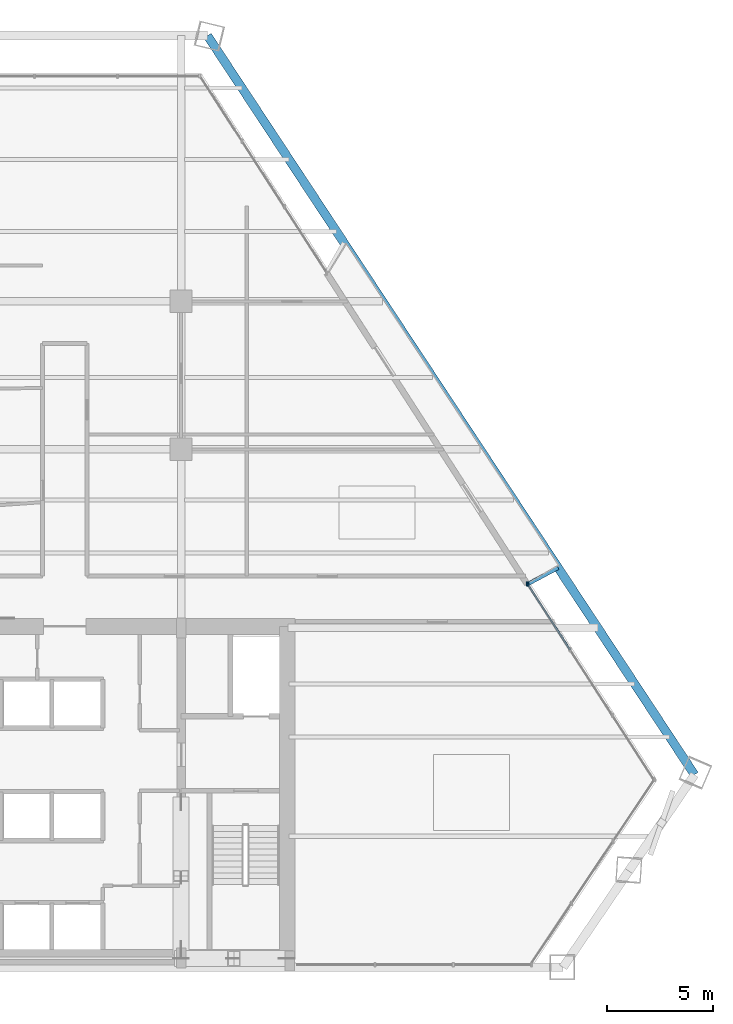
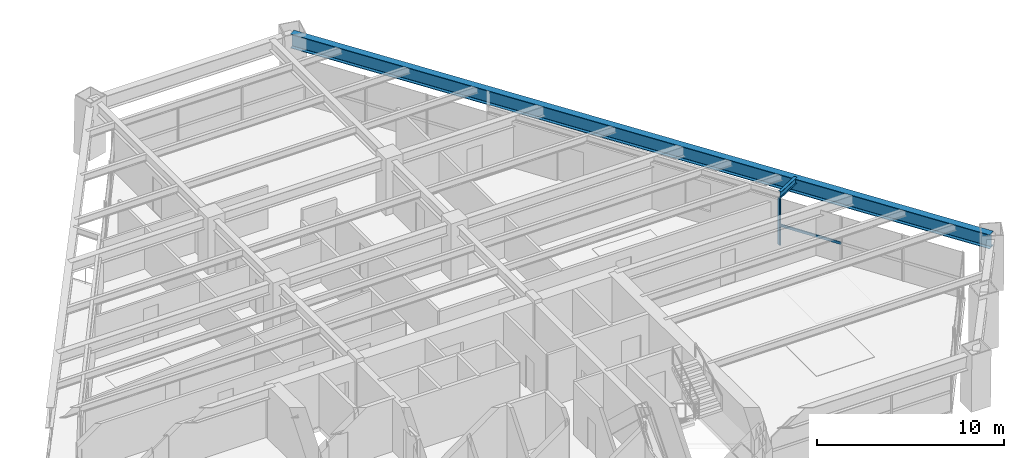
# One storey, part 7 of 14: 3 members, 2 beams, 1 element without a shape of its own.
"""IFC4 building model written with IfcOpenShell, lengths in metres."""

from ifc_helpers import new_model, si_unit, direction, frame, origin, origin_2d, place, context, subcontext, project, spatial, rectangle, i_section, extrude, source, transform, mapped, material, material_profile, profile_set, type_object, type_shapes, element, aggregate, save


model = new_model("IFC4")

# Units and contexts
model_context = context("Model", 3, precision=1e-05, world=origin(), true_north=direction((0.0, 1.0)))
body_context = subcontext(model_context, "Body", "Model", "MODEL_VIEW")
ifc_project = project(units=[si_unit("LENGTHUNIT", "METRE"), si_unit("AREAUNIT", "SQUARE_METRE"), si_unit("VOLUMEUNIT", "CUBIC_METRE"), si_unit("PLANEANGLEUNIT", "RADIAN"), si_unit("MASSUNIT", "GRAM", prefix="KILO")], contexts=[model_context])

# Site, building, storey
site_placement = place(None, origin())
site = spatial("IfcSite", under=ifc_project, at=site_placement, CompositionType="ELEMENT")
building_placement = place(site_placement, origin())
building = spatial("IfcBuilding", under=site, at=building_placement, Name="Varnakhor Terracotta Tower", CompositionType="ELEMENT")
storey_placement = place(building_placement, frame((0.0, 0.0, 102.5)))
storey = spatial("IfcBuildingStorey", under=building, at=storey_placement, Name="L25", CompositionType="ELEMENT", Elevation=102.5)

# Beam
ifc_material_1 = material(Name="Steel S355", Category="steel")
ifc_material_profile_1 = material_profile(ifc_material_1, i_section(OverallWidth=0.41796875, OverallDepth=0.927001953125, WebThickness=0.01904296875, FlangeThickness=0.031982421875, FilletRadius=0.01806640625, at=origin_2d()), Name="W36X231")
ifc_profile_set_1 = profile_set([ifc_material_profile_1], Name="Steel S355")
beam_type_1 = type_object("IfcBeamType", Name="BM-W36X231", PredefinedType="BEAM", material=ifc_profile_set_1)
shared_shape_1 = source(origin(), body_context, "Body", "SweptSolid", [
    extrude(i_section(OverallWidth=0.41796875, OverallDepth=0.927001953125, WebThickness=0.01904296875, FlangeThickness=0.031982421875, FilletRadius=0.01806640625, at=origin_2d()), origin(), (0.0, 0.0, 1.0), 41.866943359375),
])
beam_1_placement = place(storey_placement, frame((29.78662109375, 9.109130859375, 2.986572265625), z_axis=(-0.550274463533, 0.834983841031, 0.0), x_axis=(-0.834983841031, -0.550274463533, 0.0)))
element("IfcBeam", 1, at=beam_1_placement, inside=storey, type_object=beam_type_1, Name="L25 Perimeter Spandrel 4", PredefinedType="BEAM", context=body_context, shape_type="MappedRepresentation", body=[
    mapped(shared_shape_1, transform((0.0, 0.0, 0.0), scale=1.0)),
])

# Curtain wall, members
ifc_material_2 = material(Name="Anodised Aluminium Curtain Wall System", Category="aluminium")
curtain_wall_type = type_object("IfcCurtainWallType", Name="CW-SYS-LOW-OFFICE", PredefinedType="NOTDEFINED", material=ifc_material_2)
curtain_wall_placement = place(storey_placement, origin())
curtain_wall = element("IfcCurtainWall", 2, at=curtain_wall_placement, inside=storey, type_object=curtain_wall_type, Name="L25 E Facet Curtain Wall 2", PredefinedType="NOTDEFINED")
ifc_material_3 = material(Name="Anodised Aluminium 6063-T6", Category="aluminium")
ifc_material_profile_2 = material_profile(ifc_material_3, rectangle(XDim=0.074951171875, YDim=0.18505859375, at=origin_2d()), Name="ALU MULLION 75x185")
ifc_profile_set_2 = profile_set([ifc_material_profile_2], Name="Anodised Aluminium 6063-T6")
member_type_1 = type_object("IfcMemberType", Name="CWM-02", PredefinedType="MULLION", material=ifc_profile_set_2)
shared_shape_2 = source(origin(), body_context, "Body", "SweptSolid", [
    extrude(rectangle(XDim=0.074951171875, YDim=0.18505859375, at=origin_2d()), origin(), (0.0, 0.0, 1.0), 3.030029296875),
])
type_shapes(member_type_1, [shared_shape_2])
member_1_placement = place(storey_placement, frame((21.89892578125, 18.12109375, 0.0), z_axis=(0.0, 0.0, 1.0), x_axis=(1.0, 0.0, 0.0)))
member_1 = element("IfcMember", 3, at=member_1_placement, type_object=member_type_1, Name="L25 E Facet Curtain Wall 2 Mullion 1", PredefinedType="MULLION", context=body_context, shape_type="MappedRepresentation", body=[
    mapped(shared_shape_2, transform((0.0, 0.0, 0.0), scale=1.0)),
])
member_2_placement = place(storey_placement, frame((21.86572265625, 18.135498046875, 0.0), z_axis=(0.0, 0.0, 1.0), x_axis=(1.0, 0.0, 0.0)))
member_2 = element("IfcMember", 4, at=member_2_placement, type_object=member_type_1, Name="L25 E Loggia Jamb Closure Mullion 2", PredefinedType="MULLION", context=body_context, shape_type="MappedRepresentation", body=[
    mapped(shared_shape_2, transform((0.0, 0.0, 0.0), scale=1.0)),
])
ifc_material_profile_3 = material_profile(ifc_material_3, rectangle(XDim=0.074951171875, YDim=0.1650390625, at=origin_2d()), Name="ALU TRANSOM 75x165")
ifc_profile_set_3 = profile_set([ifc_material_profile_3], Name="Anodised Aluminium 6063-T6")
member_type_2 = type_object("IfcMemberType", Name="CWT-02", PredefinedType="USERDEFINED", material=ifc_profile_set_3)
shared_shape_3 = source(origin(), body_context, "Body", "SweptSolid", [
    extrude(rectangle(XDim=0.074951171875, YDim=0.1650390625, at=origin_2d()), origin(), (0.0, 0.0, 1.0), 3.69091796875),
])
member_3_placement = place(storey_placement, frame((21.89892578125, 18.12109375, 1.272705078125), z_axis=(0.541950576628, -0.840410359582, 0.0), x_axis=(0.840410359582, 0.541950576628, 0.0)))
member_3 = element("IfcMember", 5, at=member_3_placement, type_object=member_type_2, Name="L25 E Facet Curtain Wall 2 Transom 1", ObjectType="TRANSOM", PredefinedType="USERDEFINED", context=body_context, shape_type="MappedRepresentation", body=[
    mapped(shared_shape_3, transform((0.0, 0.0, 0.0), scale=1.0)),
])
aggregate(curtain_wall, [member_1, member_3, member_2])

# Beam
ifc_material_profile_4 = material_profile(ifc_material_1, i_section(OverallWidth=0.179931640625, OverallDepth=0.39990234375, WebThickness=0.008544921875, FlangeThickness=0.013427734375, FilletRadius=0.01806640625, at=origin_2d()), Name="IPE400")
ifc_profile_set_4 = profile_set([ifc_material_profile_4], Name="Steel S355")
beam_type_2 = type_object("IfcBeamType", Name="JST-IPE400", PredefinedType="JOIST", material=ifc_profile_set_4)
shared_shape_4 = source(origin(), body_context, "Body", "SweptSolid", [
    extrude(i_section(OverallWidth=0.179931640625, OverallDepth=0.39990234375, WebThickness=0.008544921875, FlangeThickness=0.013427734375, FilletRadius=0.01806640625, at=origin_2d()), origin(), (0.0, 0.0, 1.0), 1.61181640625),
])
beam_2_placement = place(storey_placement, frame((21.915283203125, 18.135986328125, 3.25), z_axis=(0.881374117626, 0.472418950486, 0.0), x_axis=(-0.472418950486, 0.881374117626, 0.0)))
element("IfcBeam", 6, at=beam_2_placement, inside=storey, type_object=beam_type_2, Name="L26 E Loggia Tie Beam 2", PredefinedType="JOIST", context=body_context, shape_type="MappedRepresentation", body=[
    mapped(shared_shape_4, transform((0.0, 0.0, 0.0), scale=1.0)),
])

save(model, "model.ifc")
